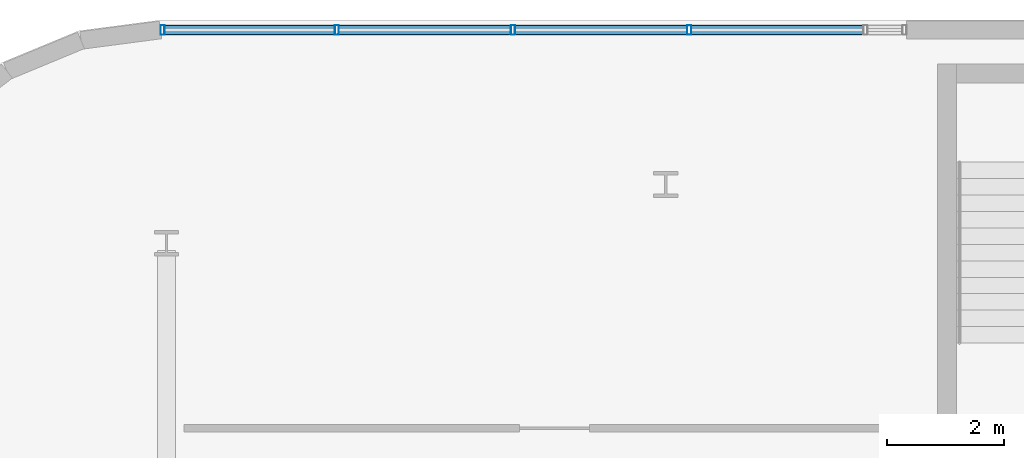
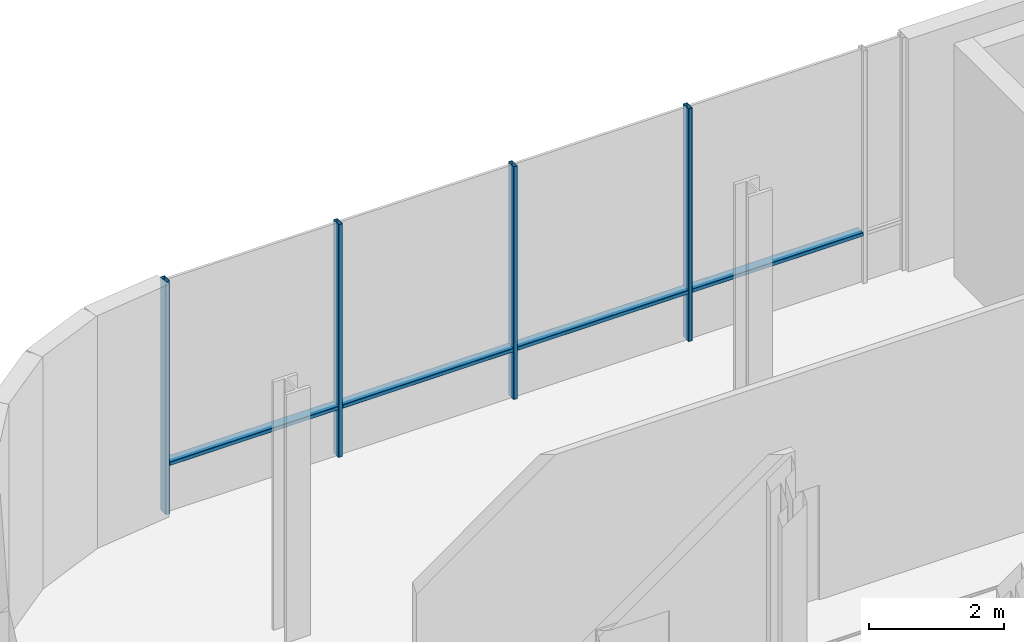
# One storey, part 4 of 25: 8 members, 1 element without a shape of its own.
"""IFC4 building model written with IfcOpenShell, lengths in metres."""

from ifc_helpers import new_model, si_unit, direction, frame, origin, origin_2d, place, context, subcontext, project, spatial, hollow_rectangle, extrude, material, layer, layer_set, material_profile, profile_set, type_object, element, aggregate, save


model = new_model("IFC4")

# Units and contexts
model_context = context("Model", 3, precision=1e-05, world=origin(), true_north=direction((0.0, 1.0)))
body_context = subcontext(model_context, "Body", "Model", "MODEL_VIEW")
ifc_project = project(units=[si_unit("LENGTHUNIT", "METRE"), si_unit("AREAUNIT", "SQUARE_METRE"), si_unit("VOLUMEUNIT", "CUBIC_METRE"), si_unit("PLANEANGLEUNIT", "RADIAN"), si_unit("MASSUNIT", "GRAM", prefix="KILO")], contexts=[model_context])

# Site, building, storey
site_placement = place(None, origin())
site = spatial("IfcSite", under=ifc_project, at=site_placement, CompositionType="ELEMENT")
building_placement = place(site_placement, origin())
building = spatial("IfcBuilding", under=site, at=building_placement, Name="Brevholm Reach", CompositionType="ELEMENT")
storey_placement = place(building_placement, frame((0.0, 0.0, 9.0)))
storey = spatial("IfcBuildingStorey", under=building, at=storey_placement, Name="L02", CompositionType="ELEMENT", Elevation=9.0)

# Curtain wall, members
ifc_material_1 = material(Name="Dark Anodised Aluminium 6063-T6 and Solar-Control Glass", Category="aluminium")
ifc_layer = layer(ifc_material_1, 0.1650390625)
ifc_layer_set = layer_set([ifc_layer], Name="Dark Anodised Aluminium 6063-T6 and Solar-Control Glass")
curtain_wall_type = type_object("IfcCurtainWallType", Name="CW-03", PredefinedType="NOTDEFINED", material=ifc_layer_set)
curtain_wall_placement = place(storey_placement, origin())
curtain_wall = element("IfcCurtainWall", 1, at=curtain_wall_placement, inside=storey, type_object=curtain_wall_type, Name="L02 Curtain Wall CW-03", PredefinedType="NOTDEFINED")
ifc_material_2 = material(Name="Dark Anodised Aluminium 6063-T6", Category="aluminium")
ifc_material_profile_1 = material_profile(ifc_material_2, hollow_rectangle(XDim=0.070068359375, YDim=0.1650390625, WallThickness=0.0048828125, InnerFilletRadius=0.0048828125, OuterFilletRadius=0.010009765625, at=origin_2d()), Name="RHS 165x70x5")
ifc_profile_set_1 = profile_set([ifc_material_profile_1], Name="Dark Anodised Aluminium 6063-T6")
member_type_1 = type_object("IfcMemberType", Name="CWM-165", PredefinedType="MULLION", material=ifc_profile_set_1)
member_1_placement = place(storey_placement, frame((-5.56494140625, 39.830078125, 0.0), z_axis=(0.0, 0.0, 1.0), x_axis=(1.0, 0.0, 0.0)))
member_1 = element("IfcMember", 2, at=member_1_placement, type_object=member_type_1, Name="CM-165 Mullion 1", PredefinedType="MULLION", context=body_context, shape_type="SweptSolid", body=[
    extrude(hollow_rectangle(XDim=0.070068359375, YDim=0.1650390625, WallThickness=0.0048828125, InnerFilletRadius=0.0048828125, OuterFilletRadius=0.010009765625, at=origin_2d()), origin(), (0.0, 0.0, 1.0), 4.219970703125),
])
member_2_placement = place(storey_placement, frame((-2.60009765625, 39.830078125, 0.0), z_axis=(0.0, 0.0, 1.0), x_axis=(1.0, 0.0, 0.0)))
member_2 = element("IfcMember", 3, at=member_2_placement, type_object=member_type_1, Name="CM-165 Mullion 2", PredefinedType="MULLION", context=body_context, shape_type="SweptSolid", body=[
    extrude(hollow_rectangle(XDim=0.070068359375, YDim=0.1650390625, WallThickness=0.0048828125, InnerFilletRadius=0.0048828125, OuterFilletRadius=0.010009765625, at=origin_2d()), origin(), (0.0, 0.0, 1.0), 4.219970703125),
])
member_3_placement = place(storey_placement, frame((0.39990234375, 39.830078125, 0.0), z_axis=(0.0, 0.0, 1.0), x_axis=(1.0, 0.0, 0.0)))
member_3 = element("IfcMember", 4, at=member_3_placement, type_object=member_type_1, Name="CM-165 Mullion 3", PredefinedType="MULLION", context=body_context, shape_type="SweptSolid", body=[
    extrude(hollow_rectangle(XDim=0.070068359375, YDim=0.1650390625, WallThickness=0.0048828125, InnerFilletRadius=0.0048828125, OuterFilletRadius=0.010009765625, at=origin_2d()), origin(), (0.0, 0.0, 1.0), 4.219970703125),
])
member_4_placement = place(storey_placement, frame((3.39990234375, 39.830078125, 0.0), z_axis=(0.0, 0.0, 1.0), x_axis=(1.0, 0.0, 0.0)))
member_4 = element("IfcMember", 5, at=member_4_placement, type_object=member_type_1, Name="CM-165 Mullion 4", PredefinedType="MULLION", context=body_context, shape_type="SweptSolid", body=[
    extrude(hollow_rectangle(XDim=0.070068359375, YDim=0.1650390625, WallThickness=0.0048828125, InnerFilletRadius=0.0048828125, OuterFilletRadius=0.010009765625, at=origin_2d()), origin(), (0.0, 0.0, 1.0), 4.219970703125),
])
ifc_material_3 = material(Name="Dark Anodised Aluminium 6063-T6", Category="aluminium")
ifc_material_profile_2 = material_profile(ifc_material_3, hollow_rectangle(XDim=0.070068359375, YDim=0.1650390625, WallThickness=0.0048828125, InnerFilletRadius=0.0048828125, OuterFilletRadius=0.010009765625, at=origin_2d()), Name="RHS 165x70x5")
ifc_profile_set_2 = profile_set([ifc_material_profile_2], Name="Dark Anodised Aluminium 6063-T6")
member_type_2 = type_object("IfcMemberType", Name="CWT-165", PredefinedType="NOTDEFINED", material=ifc_profile_set_2)
member_5_placement = place(storey_placement, frame((-5.530029296875, 39.830078125, 0.89990234375), z_axis=(1.0, 0.0, 0.0), x_axis=(0.0, 0.0, 1.0)))
member_5 = element("IfcMember", 6, at=member_5_placement, type_object=member_type_2, Name="CT-165 Transom 1.1", ObjectType="TRANSOM", PredefinedType="USERDEFINED", context=body_context, shape_type="SweptSolid", body=[
    extrude(hollow_rectangle(XDim=0.070068359375, YDim=0.1650390625, WallThickness=0.0048828125, InnerFilletRadius=0.0048828125, OuterFilletRadius=0.010009765625, at=origin_2d()), origin(), (0.0, 0.0, 1.0), 2.89501953125),
])
member_6_placement = place(storey_placement, frame((-2.56494140625, 39.830078125, 0.89990234375), z_axis=(1.0, 0.0, 0.0), x_axis=(0.0, 0.0, 1.0)))
member_6 = element("IfcMember", 7, at=member_6_placement, type_object=member_type_2, Name="CT-165 Transom 2.1", ObjectType="TRANSOM", PredefinedType="USERDEFINED", context=body_context, shape_type="SweptSolid", body=[
    extrude(hollow_rectangle(XDim=0.070068359375, YDim=0.1650390625, WallThickness=0.0048828125, InnerFilletRadius=0.0048828125, OuterFilletRadius=0.010009765625, at=origin_2d()), origin(), (0.0, 0.0, 1.0), 2.929931640625),
])
member_7_placement = place(storey_placement, frame((0.43505859375, 39.830078125, 0.89990234375), z_axis=(1.0, 0.0, 0.0), x_axis=(0.0, 0.0, 1.0)))
member_7 = element("IfcMember", 8, at=member_7_placement, type_object=member_type_2, Name="CT-165 Transom 3.1", ObjectType="TRANSOM", PredefinedType="USERDEFINED", context=body_context, shape_type="SweptSolid", body=[
    extrude(hollow_rectangle(XDim=0.070068359375, YDim=0.1650390625, WallThickness=0.0048828125, InnerFilletRadius=0.0048828125, OuterFilletRadius=0.010009765625, at=origin_2d()), origin(), (0.0, 0.0, 1.0), 2.929931640625),
])
member_8_placement = place(storey_placement, frame((3.43505859375, 39.830078125, 0.89990234375), z_axis=(1.0, 0.0, 0.0), x_axis=(0.0, 0.0, 1.0)))
member_8 = element("IfcMember", 9, at=member_8_placement, type_object=member_type_2, Name="CT-165 Transom 4.1", ObjectType="TRANSOM", PredefinedType="USERDEFINED", context=body_context, shape_type="SweptSolid", body=[
    extrude(hollow_rectangle(XDim=0.070068359375, YDim=0.1650390625, WallThickness=0.0048828125, InnerFilletRadius=0.0048828125, OuterFilletRadius=0.010009765625, at=origin_2d()), origin(), (0.0, 0.0, 1.0), 2.929931640625),
])
aggregate(curtain_wall, [member_1, member_2, member_3, member_4, member_5, member_6, member_7, member_8])

save(model, "model.ifc")
